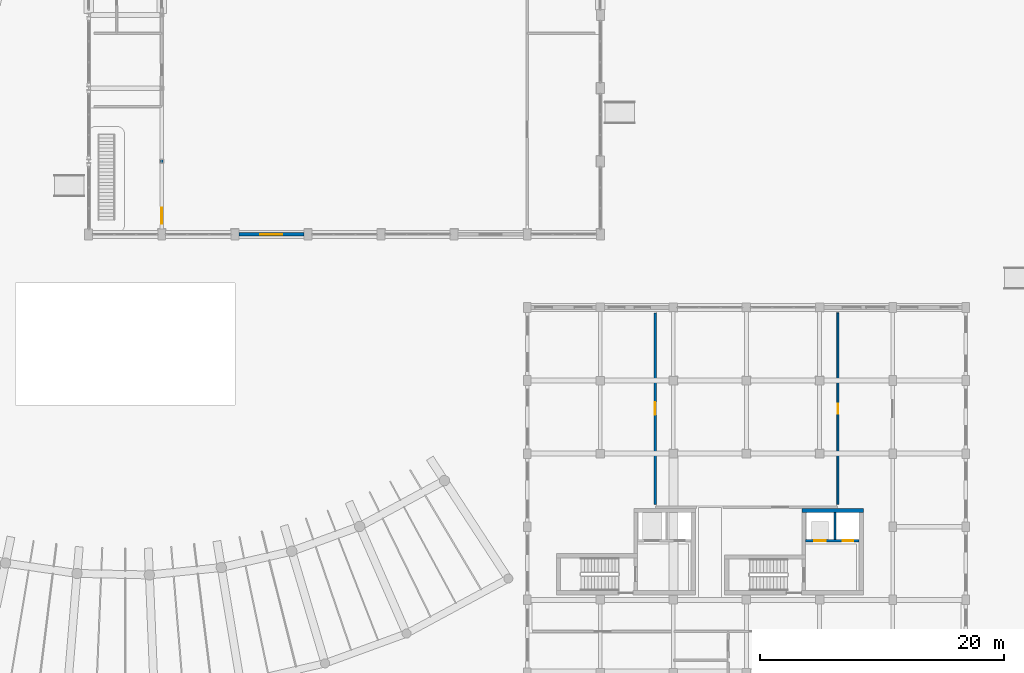
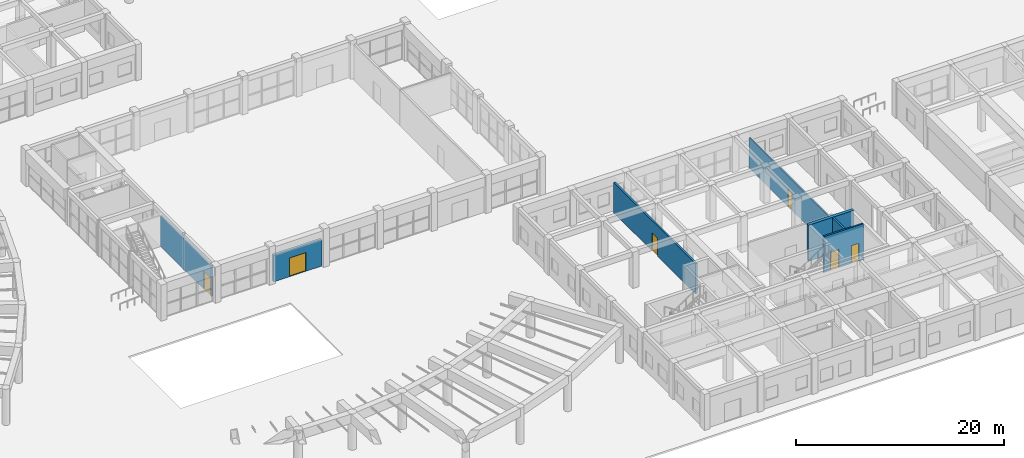
# One storey, part 52 of 76: 7 walls, 6 doors, 6 openings.
"""IFC4 building model written with IfcOpenShell, lengths in metres."""

from ifc_helpers import new_model, si_unit, direction, frame, frame_2d, origin, place, context, subcontext, project, spatial, rectangle, extrude, material, layer, layer_set, type_object, element, fill, save


model = new_model("IFC4")

# Units and contexts
model_context = context("Model", 3, precision=1e-05, world=origin(), true_north=direction((0.0, 1.0)))
body_context = subcontext(model_context, "Body", "Model", "MODEL_VIEW")
ifc_project = project(units=[si_unit("LENGTHUNIT", "METRE"), si_unit("AREAUNIT", "SQUARE_METRE"), si_unit("VOLUMEUNIT", "CUBIC_METRE"), si_unit("PLANEANGLEUNIT", "RADIAN"), si_unit("MASSUNIT", "GRAM", prefix="KILO"), si_unit("POWERUNIT", "WATT"), si_unit("THERMODYNAMICTEMPERATUREUNIT", "KELVIN")], contexts=[model_context])

# Site, building, storey
site_placement = place(None, origin())
site = spatial("IfcSite", under=ifc_project, at=site_placement, CompositionType="ELEMENT")
building_placement = place(site_placement, origin())
building = spatial("IfcBuilding", under=site, at=building_placement, Name="Ruvembo Vaulted Housing Court", CompositionType="ELEMENT")
storey_placement = place(building_placement, origin())
storey = spatial("IfcBuildingStorey", under=building, at=storey_placement, Name="L00", CompositionType="ELEMENT", Elevation=0.0)

# Wall
ifc_material_1 = material(Name="Concrete C35/45", Category="concrete")
ifc_layer_1 = layer(ifc_material_1, 0.35009765625, Name="Concrete C35/45")
ifc_layer_set_1 = layer_set([ifc_layer_1], Name="Concrete C35/45")
wall_type_1 = type_object("IfcWallType", Name="WL-CORE-350", PredefinedType="SHEAR", material=ifc_layer_set_1)
wall_1_placement = place(storey_placement, frame((129.60009765625, 19.324951171875, 0.0), z_axis=(0.0, 0.0, 1.0), x_axis=(-1.0, 0.0, 0.0)))
element("IfcWall", 1, at=wall_1_placement, inside=storey, type_object=wall_type_1, Name="Core C2 L00 North Shear Wall", PredefinedType="SHEAR", context=body_context, shape_type="SweptSolid", body=[
    extrude(rectangle(XDim=5.050048828125, YDim=0.35009765625, at=frame_2d((2.52490234375, 0.0))), origin(), (0.0, 0.0, 1.0), 4.22998046875),
])

# Wall, opening, door
ifc_material_2 = material(Name="Concrete Blockwork 200", Category="masonry")
ifc_layer_2 = layer(ifc_material_2, 0.199951171875, Name="Concrete Blockwork 200")
ifc_layer_set_2 = layer_set([ifc_layer_2], Name="Concrete Blockwork 200")
wall_type_2 = type_object("IfcWallType", Name="WL-CORR-200", PredefinedType="SOLIDWALL", material=ifc_layer_set_2)
wall_2_placement = place(storey_placement, frame((72.0, 42.760009765625, 0.0), z_axis=(0.0, 0.0, 1.0), x_axis=(0.0, 1.0, 0.0)))
wall_2 = element("IfcWall", 2, at=wall_2_placement, inside=storey, type_object=wall_type_2, Name="L00 Hall Foyer WL-INT-L00-00056", PredefinedType="SOLIDWALL", context=body_context, shape_type="SweptSolid", body=[
    extrude(rectangle(XDim=9.699951171875, YDim=0.199951171875, at=frame_2d((4.85009765625, 0.0))), origin(), (0.0, 0.0, 1.0), 3.612060546875),
])
opening_1_placement = place(wall_2_placement, frame((0.1298828125, 0.0, 0.0)))
opening_1 = element("IfcOpeningElement", 3, at=opening_1_placement, cuts=wall_2, Name="Opening CD2", PredefinedType="OPENING", context=body_context, shape_type="SweptSolid", body=[
    extrude(rectangle(XDim=1.300048828125, YDim=2.14990234375, at=frame_2d((0.64990234375, 1.074951171875))), frame((0.0, 0.10986328125, 0.0), z_axis=(0.0, -1.0, 0.0), x_axis=(1.0, 0.0, 0.0)), (0.0, 0.0, 1.0), 0.219970703125),
])
ifc_material_3 = material(Name="FSC Hardwood and Engineered Timber", Category="wood")
door_type_1 = type_object("IfcDoorType", Name="DR-CIVIC-1300x2150", OperationType="NOTDEFINED", PredefinedType="DOOR", material=ifc_material_3)
door_1_placement = place(opening_1_placement, origin())
door_1 = element("IfcDoor", 4, at=door_1_placement, inside=storey, type_object=door_type_1, Name="L00 Hall Foyer Door DR-INT-L00-00015", OperationType="SINGLE_SWING_LEFT", OverallHeight=2.14990234375, OverallWidth=1.300048828125, PredefinedType="DOOR", context=body_context, shape_type="SweptSolid", body=[
    extrude(rectangle(XDim=1.300048828125, YDim=2.14990234375, at=frame_2d((0.64990234375, 1.074951171875))), frame((0.0, 0.02490234375, 0.0), z_axis=(0.0, -1.0, 0.0), x_axis=(1.0, 0.0, 0.0)), (0.0, 0.0, 1.0), 0.050048828125),
])
fill(opening_1, door_1)

wall_3_placement = place(storey_placement, frame((112.5, 19.840087890625, 0.0), z_axis=(0.0, 0.0, 1.0), x_axis=(0.0, 1.0, 0.0)))
wall_3 = element("IfcWall", 5, at=wall_3_placement, inside=storey, type_object=wall_type_2, Name="L00 Parcel Room C WL-INT-L00-00125", PredefinedType="SOLIDWALL", context=body_context, shape_type="SweptSolid", body=[
    extrude(rectangle(XDim=15.719970703125, YDim=0.199951171875, at=frame_2d((7.85986328125, 0.0))), origin(), (0.0, 0.0, 1.0), 3.56201171875),
])
opening_2_placement = place(wall_3_placement, frame((7.3349609375, 0.0, 0.0)))
opening_2 = element("IfcOpeningElement", 6, at=opening_2_placement, cuts=wall_3, Name="Opening FD3", PredefinedType="OPENING", context=body_context, shape_type="SweptSolid", body=[
    extrude(rectangle(XDim=1.050048828125, YDim=2.14990234375, at=frame_2d((0.52490234375, 1.074951171875))), frame((0.0, 0.10986328125, 0.0), z_axis=(0.0, -1.0, 0.0), x_axis=(1.0, 0.0, 0.0)), (0.0, 0.0, 1.0), 0.219970703125),
])
door_type_2 = type_object("IfcDoorType", Name="DR-FLAT-1050x2150", OperationType="NOTDEFINED", PredefinedType="DOOR", material=ifc_material_3)
door_2_placement = place(opening_2_placement, origin())
door_2 = element("IfcDoor", 7, at=door_2_placement, inside=storey, type_object=door_type_2, Name="L00 Parcel Room C Door DR-INT-L00-00056", OperationType="SINGLE_SWING_RIGHT", OverallHeight=2.14990234375, OverallWidth=1.050048828125, PredefinedType="DOOR", context=body_context, shape_type="SweptSolid", body=[
    extrude(rectangle(XDim=1.050048828125, YDim=2.14990234375, at=frame_2d((0.52490234375, 1.074951171875))), frame((0.0, 0.02490234375, 0.0), z_axis=(0.0, -1.0, 0.0), x_axis=(1.0, 0.0, 0.0)), (0.0, 0.0, 1.0), 0.050048828125),
])
fill(opening_2, door_2)

ifc_material_4 = material(Name="Rendered Masonry 300", Category="masonry")
ifc_layer_3 = layer(ifc_material_4, 0.300048828125, Name="Rendered Masonry 300")
ifc_layer_set_3 = layer_set([ifc_layer_3], Name="Rendered Masonry 300")
wall_type_3 = type_object("IfcWallType", Name="WL-EXT-300", PredefinedType="STANDARD", material=ifc_layer_set_3)
wall_4_placement = place(storey_placement, frame((78.324951171875, 42.0, 0.0), z_axis=(0.0, 0.0, 1.0), x_axis=(1.0, 0.0, 0.0)))
wall_4 = element("IfcWall", 8, at=wall_4_placement, inside=storey, type_object=wall_type_3, Name="Community Hall L00 Entrance Bay S3", PredefinedType="STANDARD", context=body_context, shape_type="SweptSolid", body=[
    extrude(rectangle(XDim=5.35009765625, YDim=0.300048828125, at=frame_2d((2.675048828125, 0.0))), origin(), (0.0, 0.0, 1.0), 3.112060546875),
])
opening_3_placement = place(wall_4_placement, frame((1.77490234375, 0.0, 0.0)))
opening_3 = element("IfcOpeningElement", 9, at=opening_3_placement, cuts=wall_4, Name="Opening EX1", PredefinedType="OPENING", context=body_context, shape_type="SweptSolid", body=[
    extrude(rectangle(XDim=1.800048828125, YDim=2.199951171875, at=frame_2d((0.89990234375, 1.10009765625))), frame((0.0, 0.159912109375, 0.0), z_axis=(0.0, -1.0, 0.0), x_axis=(1.0, 0.0, 0.0)), (0.0, 0.0, 1.0), 0.320068359375),
])
ifc_material_5 = material(Name="Thermally Broken Glazed Aluminium", Category="aluminium")
door_type_3 = type_object("IfcDoorType", Name="DR-EXIT-1800x2200", OperationType="NOTDEFINED", PredefinedType="DOOR", material=ifc_material_5)
door_3_placement = place(opening_3_placement, frame((1.800048828125, 0.0, 0.0), z_axis=(0.0, 0.0, 1.0), x_axis=(-1.0, 0.0, 0.0)))
door_3 = element("IfcDoor", 10, at=door_3_placement, inside=storey, type_object=door_type_3, Name="Community Hall Final Exit S3", OperationType="DOUBLE_DOOR_SINGLE_SWING", OverallHeight=2.199951171875, OverallWidth=1.800048828125, PredefinedType="DOOR", context=body_context, shape_type="SweptSolid", body=[
    extrude(rectangle(XDim=1.800048828125, YDim=2.199951171875, at=frame_2d((0.89990234375, 1.10009765625))), frame((0.0, 0.02490234375, 0.0), z_axis=(0.0, -1.0, 0.0), x_axis=(1.0, 0.0, 0.0)), (0.0, 0.0, 1.0), 0.050048828125),
])
fill(opening_3, door_3)

ifc_material_6 = material(Name="Moisture-Resistant Wet Partition 150", Category="gypsum")
ifc_layer_4 = layer(ifc_material_6, 0.14990234375, Name="Moisture-Resistant Wet Partition 150")
ifc_layer_set_4 = layer_set([ifc_layer_4], Name="Moisture-Resistant Wet Partition 150")
wall_type_4 = type_object("IfcWallType", Name="WL-PART-150", PredefinedType="PARTITIONING", material=ifc_layer_set_4)
wall_5_placement = place(storey_placement, frame((127.5, 19.840087890625, 0.0), z_axis=(0.0, 0.0, 1.0), x_axis=(0.0, 1.0, 0.0)))
wall_5 = element("IfcWall", 11, at=wall_5_placement, inside=storey, type_object=wall_type_4, Name="L00 Block C Accessible WC WL-INT-L00-00126", PredefinedType="PARTITIONING", context=body_context, shape_type="SweptSolid", body=[
    extrude(rectangle(XDim=15.719970703125, YDim=0.14990234375, at=frame_2d((7.85986328125, 0.0))), origin(), (0.0, 0.0, 1.0), 3.56201171875),
])
opening_4_placement = place(wall_5_placement, frame((7.449951171875, 0.0, 0.0)))
opening_4 = element("IfcOpeningElement", 12, at=opening_4_placement, cuts=wall_5, Name="Opening ID4", PredefinedType="OPENING", context=body_context, shape_type="SweptSolid", body=[
    extrude(rectangle(XDim=0.820068359375, YDim=2.080078125, at=frame_2d((0.41015625, 1.0400390625))), frame((0.0, 0.0849609375, 0.0), z_axis=(0.0, -1.0, 0.0), x_axis=(1.0, 0.0, 0.0)), (0.0, 0.0, 1.0), 0.169921875),
])
door_type_4 = type_object("IfcDoorType", Name="DR-WET-0820x2080", OperationType="NOTDEFINED", PredefinedType="DOOR", material=ifc_material_3)
door_4_placement = place(opening_4_placement, origin())
door_4 = element("IfcDoor", 13, at=door_4_placement, inside=storey, type_object=door_type_4, Name="L00 Block C Accessible WC Door DR-INT-L00-00057", OperationType="SINGLE_SWING_LEFT", OverallHeight=2.080078125, OverallWidth=0.820068359375, PredefinedType="DOOR", context=body_context, shape_type="SweptSolid", body=[
    extrude(rectangle(XDim=0.820068359375, YDim=2.080078125, at=frame_2d((0.41015625, 1.0400390625))), frame((0.0, 0.02490234375, 0.0), z_axis=(0.0, -1.0, 0.0), x_axis=(1.0, 0.0, 0.0)), (0.0, 0.0, 1.0), 0.050048828125),
])
fill(opening_4, door_4)

# Wall, openings, doors
ifc_material_7 = material(Name="Fire-Rated Masonry Shaft 180", Category="masonry")
ifc_layer_5 = layer(ifc_material_7, 0.179931640625, Name="Fire-Rated Masonry Shaft 180")
ifc_layer_set_5 = layer_set([ifc_layer_5], Name="Fire-Rated Masonry Shaft 180")
wall_type_5 = type_object("IfcWallType", Name="WL-SHAFT-180", PredefinedType="SOLIDWALL", material=ifc_layer_set_5)
wall_6_placement = place(storey_placement, frame((124.85009765625, 16.85009765625, 0.0), z_axis=(0.0, 0.0, 1.0), x_axis=(1.0, 0.0, 0.0)))
wall_6 = element("IfcWall", 14, at=wall_6_placement, inside=storey, type_object=wall_type_5, Name="Core C2 L00 Lift and Riser Front Wall", PredefinedType="SOLIDWALL", context=body_context, shape_type="SweptSolid", body=[
    extrude(rectangle(XDim=4.39990234375, YDim=0.179931640625, at=frame_2d((2.199951171875, 0.0))), origin(), (0.0, 0.0, 1.0), 4.22998046875),
])
opening_5_placement = place(wall_6_placement, frame((0.72509765625, 0.0, 0.0)))
opening_5 = element("IfcOpeningElement", 15, at=opening_5_placement, cuts=wall_6, Name="Opening LD-LP-C2-L00", PredefinedType="OPENING", context=body_context, shape_type="SweptSolid", body=[
    extrude(rectangle(XDim=0.949951171875, YDim=2.14990234375, at=frame_2d((0.47509765625, 1.074951171875))), frame((0.0, 0.099853515625, 0.0), z_axis=(0.0, -1.0, 0.0), x_axis=(1.0, 0.0, 0.0)), (0.0, 0.0, 1.0), 0.199951171875),
])
opening_6_placement = place(wall_6_placement, frame((3.050048828125, 0.0, 0.0)))
opening_6 = element("IfcOpeningElement", 16, at=opening_6_placement, cuts=wall_6, Name="Opening RD1", PredefinedType="OPENING", context=body_context, shape_type="SweptSolid", body=[
    extrude(rectangle(XDim=0.85009765625, YDim=2.10009765625, at=frame_2d((0.425048828125, 1.050048828125))), frame((0.0, 0.099853515625, 0.0), z_axis=(0.0, -1.0, 0.0), x_axis=(1.0, 0.0, 0.0)), (0.0, 0.0, 1.0), 0.199951171875),
])
ifc_material_8 = material(Name="Brushed Stainless Steel 304", Category="steel")
door_type_5 = type_object("IfcDoorType", Name="DR-LIFT-0950x2150", OperationType="NOTDEFINED", PredefinedType="DOOR", material=ifc_material_8)
door_5_placement = place(opening_5_placement, origin())
door_5 = element("IfcDoor", 17, at=door_5_placement, inside=storey, type_object=door_type_5, Name="Lift LP-C2 L00 Sliding Landing Door", OperationType="SLIDING_TO_LEFT", OverallHeight=2.14990234375, OverallWidth=0.949951171875, PredefinedType="DOOR", context=body_context, shape_type="SweptSolid", body=[
    extrude(rectangle(XDim=0.949951171875, YDim=2.14990234375, at=frame_2d((0.47509765625, 1.074951171875))), frame((0.0, 0.02490234375, 0.0), z_axis=(0.0, -1.0, 0.0), x_axis=(1.0, 0.0, 0.0)), (0.0, 0.0, 1.0), 0.050048828125),
])
fill(opening_5, door_5)
ifc_material_9 = material(Name="Galvanised Painted Steel", Category="steel")
door_type_6 = type_object("IfcDoorType", Name="DR-RISER-0850x2100", OperationType="NOTDEFINED", PredefinedType="DOOR", material=ifc_material_9)
door_6_placement = place(opening_6_placement, frame((0.85009765625, 0.0, 0.0), z_axis=(0.0, 0.0, 1.0), x_axis=(-1.0, 0.0, 0.0)))
door_6 = element("IfcDoor", 18, at=door_6_placement, inside=storey, type_object=door_type_6, Name="Core C2 L00 Service Riser Door", OperationType="SINGLE_SWING_LEFT", OverallHeight=2.10009765625, OverallWidth=0.85009765625, PredefinedType="DOOR", context=body_context, shape_type="SweptSolid", body=[
    extrude(rectangle(XDim=0.85009765625, YDim=2.10009765625, at=frame_2d((0.425048828125, 1.050048828125))), frame((0.0, 0.02490234375, 0.0), z_axis=(0.0, -1.0, 0.0), x_axis=(1.0, 0.0, 0.0)), (0.0, 0.0, 1.0), 0.050048828125),
])
fill(opening_6, door_6)

# Wall
wall_7_placement = place(storey_placement, frame((127.27001953125, 16.93994140625, 0.0), z_axis=(0.0, 0.0, 1.0), x_axis=(0.0, 1.0, 0.0)))
element("IfcWall", 19, at=wall_7_placement, inside=storey, type_object=wall_type_5, Name="Core C2 L00 Shaft-Riser Divider Wall", PredefinedType="SOLIDWALL", context=body_context, shape_type="SweptSolid", body=[
    extrude(rectangle(XDim=2.2099609375, YDim=0.179931640625, at=frame_2d((1.10498046875, 0.0))), origin(), (0.0, 0.0, 1.0), 4.22998046875),
])

save(model, "model.ifc")
